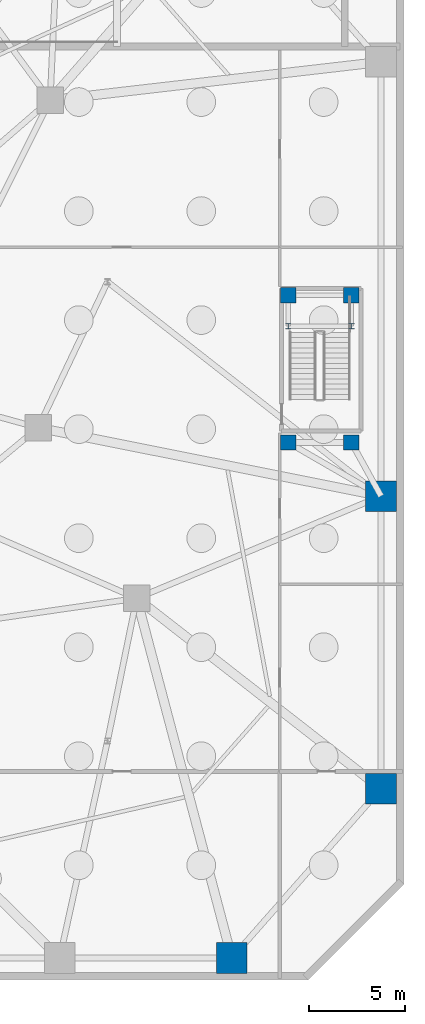
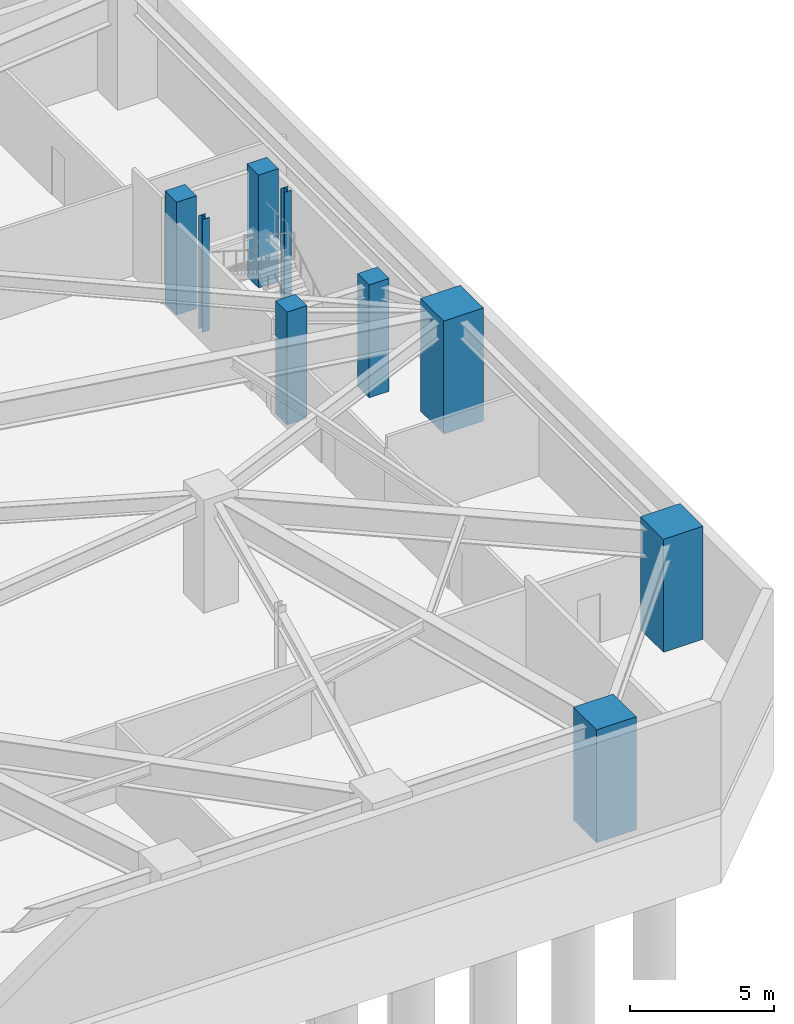
# One storey, part 8 of 20: 9 columns.
"""IFC4 building model written with IfcOpenShell, lengths in metres."""

from ifc_helpers import new_model, si_unit, direction, frame, origin, origin_2d, place, context, subcontext, project, spatial, rectangle, i_section, extrude, material, material_profile, profile_set, type_object, element, save


model = new_model("IFC4")

# Units and contexts
model_context = context("Model", 3, precision=1e-05, world=origin(), true_north=direction((0.0, 1.0)))
body_context = subcontext(model_context, "Body", "Model", "MODEL_VIEW")
ifc_project = project(units=[si_unit("LENGTHUNIT", "METRE"), si_unit("AREAUNIT", "SQUARE_METRE"), si_unit("VOLUMEUNIT", "CUBIC_METRE"), si_unit("PLANEANGLEUNIT", "RADIAN"), si_unit("MASSUNIT", "GRAM", prefix="KILO")], contexts=[model_context])

# Site, building, storey
site_placement = place(None, origin())
site = spatial("IfcSite", under=ifc_project, at=site_placement, CompositionType="ELEMENT")
building_placement = place(site_placement, origin())
building = spatial("IfcBuilding", under=site, at=building_placement, Name="Terralouvre Media Tower", CompositionType="ELEMENT")
storey_placement = place(building_placement, frame((0.0, 0.0, -9.60009765625)))
storey = spatial("IfcBuildingStorey", under=building, at=storey_placement, Name="B02", CompositionType="ELEMENT", Elevation=-9.60009765625)

# Columns
ifc_material_1 = material(Name="Structural steel S355J2", Category="steel")
ifc_material_profile_1 = material_profile(ifc_material_1, i_section(OverallWidth=0.280029296875, OverallDepth=0.280029296875, WebThickness=0.010498046875, FlangeThickness=0.01806640625, at=origin_2d()), Name="HEB 280")
ifc_profile_set_1 = profile_set([ifc_material_profile_1], Name="Structural steel S355J2")
column_type_1 = type_object("IfcColumnType", Name="Basement Aisle Pilaster PL-HEB280 (HEB 280)", PredefinedType="PILASTER", material=ifc_profile_set_1)
for number, where, z_axis, x_axis, name in (
    (1, (30.949951171875, 9.679931640625, 0.0), (0.0, 0.0, 1.0), (1.0, 0.0, 0.0), "B02 Stair Half-Landing Post ST4CLP1"),
    (2, (34.25, 9.679931640625, 0.0), (0.0, 0.0, 1.0), (1.0, 0.0, 0.0), "B02 Stair Half-Landing Post ST4CLP2"),
):
    element("IfcColumn", number, at=place(storey_placement, frame(where, z_axis=z_axis, x_axis=x_axis)), inside=storey, type_object=column_type_1, Name=name, PredefinedType="PILASTER", context=body_context, shape_type="SweptSolid", body=[
        extrude(i_section(OverallWidth=0.280029296875, OverallDepth=0.280029296875, WebThickness=0.010498046875, FlangeThickness=0.01806640625, at=origin_2d()), origin(), (0.0, 0.0, 1.0), 4.800048828125),
    ])
ifc_material_2 = material(Name="Concrete C60/75", Category="concrete")
ifc_material_profile_2 = material_profile(ifc_material_2, rectangle(XDim=1.60009765625, YDim=1.60009765625, at=origin_2d()), Name="RC 1600x1600")
ifc_profile_set_2 = profile_set([ifc_material_profile_2], Name="Concrete C60/75")
column_type_2 = type_object("IfcColumnType", Name="Structural Column C-RC1600 (RC 1600x1600)", PredefinedType="COLUMN", material=ifc_profile_set_2)
for number, where, z_axis, x_axis, name in (
    (3, (28.0, -23.35009765625, 0.0), (0.0, 0.0, 1.0), (1.0, 0.0, 0.0), "B02 Perimeter Mega-Column PM06"),
    (4, (35.800048828125, -14.5, 0.0), (0.0, 0.0, 1.0), (1.0, 0.0, 0.0), "B02 Perimeter Mega-Column PM07"),
    (5, (35.800048828125, 0.800048828125, 0.0), (0.0, 0.0, 1.0), (1.0, 0.0, 0.0), "B02 Perimeter Mega-Column PM08"),
):
    element("IfcColumn", number, at=place(storey_placement, frame(where, z_axis=z_axis, x_axis=x_axis)), inside=storey, type_object=column_type_2, Name=name, PredefinedType="COLUMN", context=body_context, shape_type="SweptSolid", body=[
        extrude(rectangle(XDim=1.60009765625, YDim=1.60009765625, at=origin_2d()), origin(), (0.0, 0.0, 1.0), 4.800048828125),
    ])
ifc_material_3 = material(Name="Concrete C50/60", Category="concrete")
ifc_material_profile_3 = material_profile(ifc_material_3, rectangle(XDim=0.800048828125, YDim=0.800048828125, at=origin_2d()), Name="RC 800x800")
ifc_profile_set_3 = profile_set([ifc_material_profile_3], Name="Concrete C50/60")
column_type_3 = type_object("IfcColumnType", Name="Structural Column C-RC800 (RC 800x800)", PredefinedType="COLUMN", material=ifc_profile_set_3)
for number, where, z_axis, x_axis, name in (
    (6, (30.949951171875, 3.60009765625, 0.0), (0.0, 0.0, 1.0), (1.0, 0.0, 0.0), "B02 Stair Pavilion Support Column ST4C1"),
    (7, (34.25, 3.60009765625, 0.0), (0.0, 0.0, 1.0), (1.0, 0.0, 0.0), "B02 Stair Pavilion Support Column ST4C2"),
    (8, (34.25, 11.300048828125, 0.0), (0.0, 0.0, 1.0), (1.0, 0.0, 0.0), "B02 Stair Pavilion Support Column ST4C3"),
    (9, (30.949951171875, 11.300048828125, 0.0), (0.0, 0.0, 1.0), (1.0, 0.0, 0.0), "B02 Stair Pavilion Support Column ST4C4"),
):
    element("IfcColumn", number, at=place(storey_placement, frame(where, z_axis=z_axis, x_axis=x_axis)), inside=storey, type_object=column_type_3, Name=name, PredefinedType="COLUMN", context=body_context, shape_type="SweptSolid", body=[
        extrude(rectangle(XDim=0.800048828125, YDim=0.800048828125, at=origin_2d()), origin(), (0.0, 0.0, 1.0), 4.800048828125),
    ])

save(model, "model.ifc")
